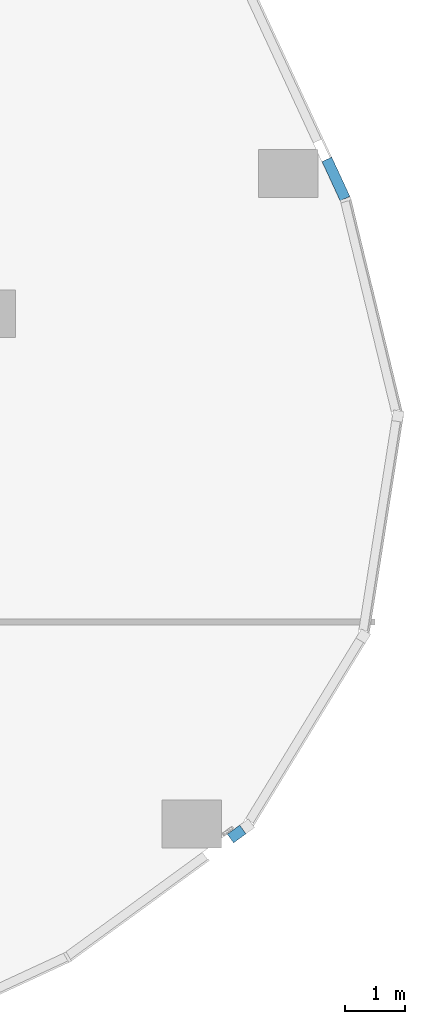
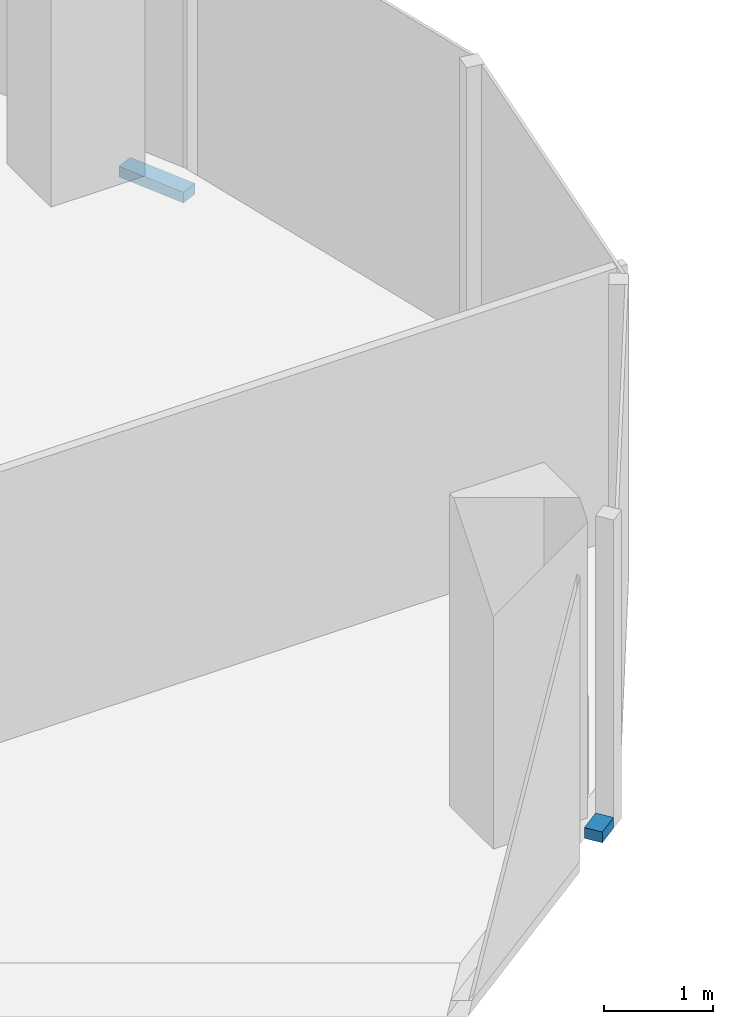
# One storey, part 15 of 24: 2 members, 2 elements without a shape of their own.
"""IFC4 building model written with IfcOpenShell, lengths in metres."""

from ifc_helpers import new_model, si_unit, direction, frame, origin, origin_2d, place, context, subcontext, project, spatial, rectangle, extrude, material, material_profile, profile_set, type_object, element, aggregate, save


model = new_model("IFC4")

# Units and contexts
model_context = context("Model", 3, precision=1e-05, world=origin(), true_north=direction((0.0, 1.0)))
body_context = subcontext(model_context, "Body", "Model", "MODEL_VIEW")
ifc_project = project(units=[si_unit("LENGTHUNIT", "METRE"), si_unit("AREAUNIT", "SQUARE_METRE"), si_unit("VOLUMEUNIT", "CUBIC_METRE"), si_unit("PLANEANGLEUNIT", "RADIAN"), si_unit("MASSUNIT", "GRAM", prefix="KILO")], contexts=[model_context])

# Site, building, storey
site_placement = place(None, origin())
site = spatial("IfcSite", under=ifc_project, at=site_placement, CompositionType="ELEMENT")
building_placement = place(site_placement, origin())
building = spatial("IfcBuilding", under=site, at=building_placement, Name="Orlundy Tower", CompositionType="ELEMENT")
storey_placement = place(building_placement, frame((0.0, 0.0, 267.5)))
storey = spatial("IfcBuildingStorey", under=building, at=storey_placement, Name="L71", CompositionType="ELEMENT", Elevation=267.5)

# Curtain wall, member
ifc_material_1 = material(Name="Aluminium bronze anodised", Category="aluminium")
curtain_wall_type = type_object("IfcCurtainWallType", Name="CW1 wall", PredefinedType="NOTDEFINED", material=ifc_material_1)
curtain_wall_1_placement = place(storey_placement, origin())
curtain_wall_1 = element("IfcCurtainWall", 1, at=curtain_wall_1_placement, inside=storey, type_object=curtain_wall_type, Name="CW1 run 15", PredefinedType="NOTDEFINED")
ifc_material_2 = material(Name="Aluminium bronze anodised", Category="aluminium")
ifc_material_profile = material_profile(ifc_material_2, rectangle(XDim=0.179931640625, YDim=0.1201171875, at=origin_2d()), Name="CW1 transom 180x120")
ifc_profile_set = profile_set([ifc_material_profile], Name="Aluminium bronze anodised")
member_type = type_object("IfcMemberType", Name="CW1 transom 180x120", PredefinedType="USERDEFINED", material=ifc_profile_set)
member_1_placement = place(storey_placement, frame((40.027099609375, 7.771240234375, -0.340087890625), z_axis=(0.419826001954, -0.907604609994, 0.0), x_axis=(0.907604609994, 0.419826001954, 0.0)))
member_1 = element("IfcMember", 2, at=member_1_placement, type_object=member_type, Name="CW1 transom", ObjectType="TRANSOM", PredefinedType="USERDEFINED", context=body_context, shape_type="SweptSolid", body=[
    extrude(rectangle(XDim=0.179931640625, YDim=0.1201171875, at=origin_2d()), origin(), (0.0, 0.0, 1.0), 0.725830078125),
])
aggregate(curtain_wall_1, [member_1])

curtain_wall_2_placement = place(storey_placement, origin())
curtain_wall_2 = element("IfcCurtainWall", 3, at=curtain_wall_2_placement, inside=storey, type_object=curtain_wall_type, Name="CW1 run 19", PredefinedType="NOTDEFINED")
member_2_placement = place(storey_placement, frame((38.61572265625, -3.483154296875, -0.340087890625), z_axis=(-0.808242953664, -0.588849155431, 0.0), x_axis=(0.588849155431, -0.808242953664, 0.0)))
member_2 = element("IfcMember", 4, at=member_2_placement, type_object=member_type, Name="CW1 transom", ObjectType="TRANSOM", PredefinedType="USERDEFINED", context=body_context, shape_type="SweptSolid", body=[
    extrude(rectangle(XDim=0.179931640625, YDim=0.1201171875, at=origin_2d()), origin(), (0.0, 0.0, 1.0), 0.257080078125),
])
aggregate(curtain_wall_2, [member_2])

save(model, "model.ifc")
